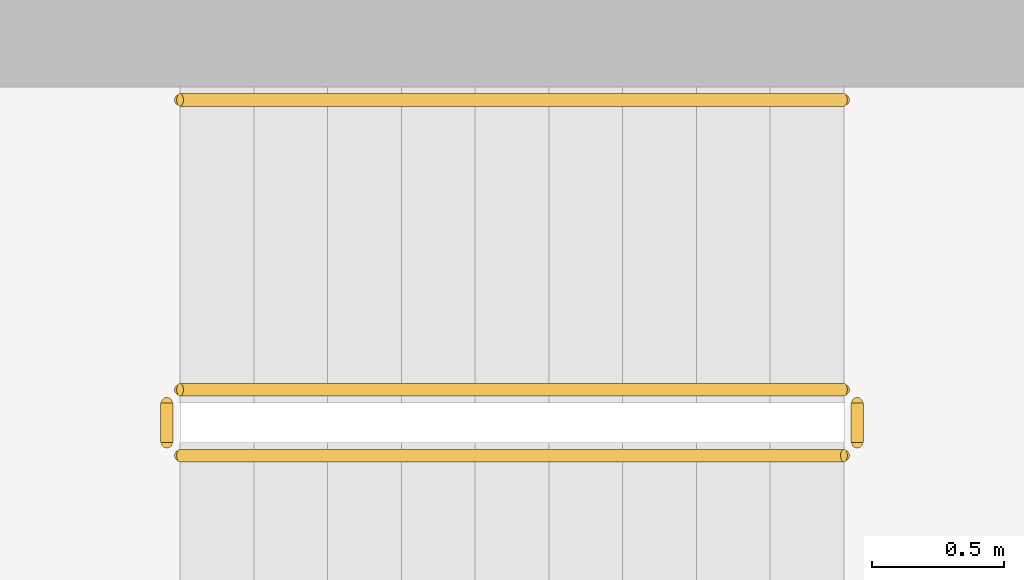
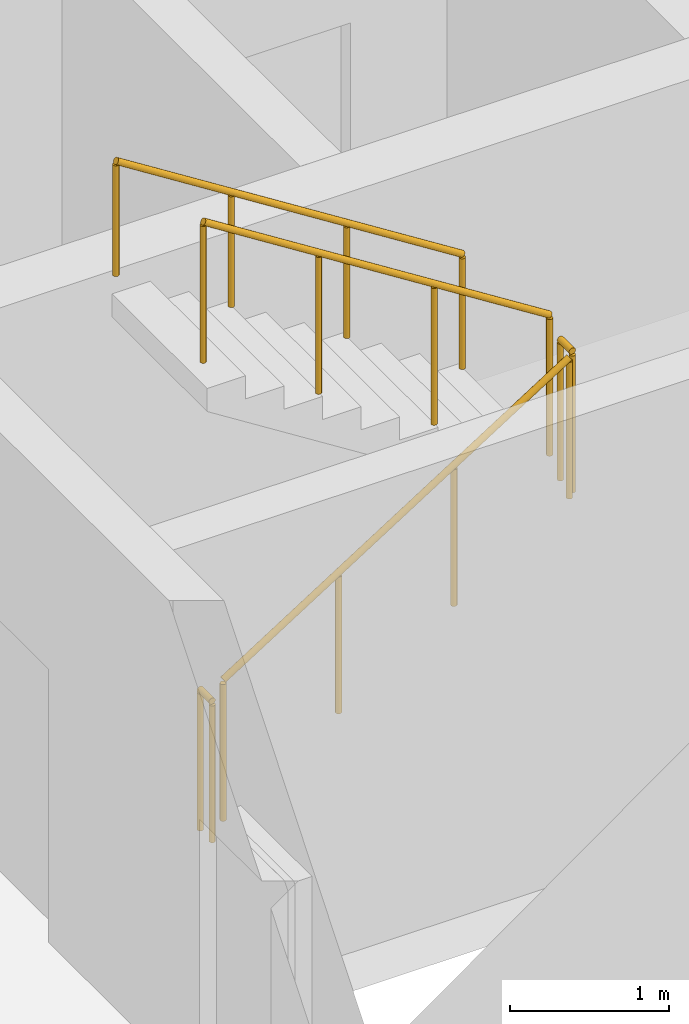
# One storey, part 15 of 17: 5 railings.
"""IFC4 building model written with IfcOpenShell, lengths in metres."""

from ifc_helpers import new_model, si_unit, direction, frame, origin, origin_2d, place, context, subcontext, project, spatial, circle, extrude, material, type_object, element, save


model = new_model("IFC4")

# Units and contexts
model_context = context("Model", 3, precision=1e-05, world=origin(), true_north=direction((0.0, 1.0)))
body_context = subcontext(model_context, "Body", "Model", "MODEL_VIEW")
ifc_project = project(units=[si_unit("LENGTHUNIT", "METRE"), si_unit("AREAUNIT", "SQUARE_METRE"), si_unit("VOLUMEUNIT", "CUBIC_METRE"), si_unit("PLANEANGLEUNIT", "RADIAN"), si_unit("MASSUNIT", "GRAM", prefix="KILO")], contexts=[model_context])

# Site, building, storey
site_placement = place(None, origin())
site = spatial("IfcSite", under=ifc_project, at=site_placement, CompositionType="ELEMENT")
building_placement = place(site_placement, origin())
building = spatial("IfcBuilding", under=site, at=building_placement, Name="Ostrand Prow Hotel Tower", CompositionType="ELEMENT")
storey_placement = place(building_placement, frame((0.0, 0.0, 200.35009765625)))
storey = spatial("IfcBuildingStorey", under=building, at=storey_placement, Name="L50", CompositionType="ELEMENT", Elevation=200.35009765625)

# Railings
ifc_material_1 = material(Name="Painted steel", Category="steel")
railing_type_1 = type_object("IfcRailingType", Name="Stair guard 1100", PredefinedType="GUARDRAIL", material=ifc_material_1)
railing_1_placement = place(storey_placement, frame((57.199951171875, -11.75, 0.177490234375)))
element("IfcRailing", 1, at=railing_1_placement, inside=storey, type_object=railing_type_1, Name="L50 ST2C stair guard 1", PredefinedType="GUARDRAIL", context=body_context, shape_type="SweptSolid", body=[
    extrude(circle(Radius=0.02392578125, at=origin_2d()), frame((0.0, 0.0, 1.076171875), z_axis=(0.84460694969, 0.0, 0.535386869969), x_axis=(0.0, 1.0, 0.0)), (0.0, 0.0, 1.0), 2.983642578125),
    extrude(circle(Radius=0.02099609375, at=origin_2d()), origin(), (0.0, 0.0, 1.0), 1.052001953125),
    extrude(circle(Radius=0.02099609375, at=origin_2d()), frame((0.840087890625, 0.0, 0.532470703125)), (0.0, 0.0, 1.0), 1.052001953125),
    extrude(circle(Radius=0.02099609375, at=origin_2d()), frame((1.679931640625, 0.0, 1.06494140625)), (0.0, 0.0, 1.0), 1.052001953125),
    extrude(circle(Radius=0.02099609375, at=origin_2d()), frame((2.52001953125, 0.0, 1.597412109375)), (0.0, 0.0, 1.0), 1.052001953125),
])
railing_2_placement = place(storey_placement, frame((59.77001953125, -11.699951171875, 1.77490234375)))
element("IfcRailing", 2, at=railing_2_placement, inside=storey, type_object=railing_type_1, Name="L50 ST2C stair guard 2", PredefinedType="GUARDRAIL", context=body_context, shape_type="SweptSolid", body=[
    extrude(circle(Radius=0.02392578125, at=origin_2d()), frame((0.0, 0.0, 1.076171875), z_axis=(0.0, 1.0, 0.0), x_axis=(-1.0, 0.0, 0.0)), (0.0, 0.0, 1.0), 0.14990234375),
    extrude(circle(Radius=0.02099609375, at=origin_2d()), origin(), (0.0, 0.0, 1.0), 1.052001953125),
    extrude(circle(Radius=0.02099609375, at=origin_2d()), frame((0.0, 0.14990234375, 0.0)), (0.0, 0.0, 1.0), 1.052001953125),
])
railing_3_placement = place(storey_placement, frame((59.719970703125, -11.5, 1.952392578125)))
element("IfcRailing", 3, at=railing_3_placement, inside=storey, type_object=railing_type_1, Name="L50 ST2C stair guard 3", PredefinedType="GUARDRAIL", context=body_context, shape_type="SweptSolid", body=[
    extrude(circle(Radius=0.02392578125, at=origin_2d()), frame((0.0, 0.0, 1.076171875), z_axis=(-0.84460694969, 0.0, 0.535386869969), x_axis=(0.0, -1.0, 0.0)), (0.0, 0.0, 1.0), 2.983642578125),
    extrude(circle(Radius=0.02099609375, at=origin_2d()), origin(), (0.0, 0.0, 1.0), 1.052001953125),
    extrude(circle(Radius=0.02099609375, at=origin_2d()), frame((-0.840087890625, 0.0, 0.532470703125)), (0.0, 0.0, 1.0), 1.052001953125),
    extrude(circle(Radius=0.02099609375, at=origin_2d()), frame((-1.679931640625, 0.0, 1.06494140625)), (0.0, 0.0, 1.0), 1.052001953125),
    extrude(circle(Radius=0.02099609375, at=origin_2d()), frame((-2.52001953125, 0.0, 1.597412109375)), (0.0, 0.0, 1.0), 1.052001953125),
])
railing_4_placement = place(storey_placement, frame((57.14990234375, -11.699951171875, 0.0)))
element("IfcRailing", 4, at=railing_4_placement, inside=storey, type_object=railing_type_1, Name="L50 ST2C stair guard 4", PredefinedType="GUARDRAIL", context=body_context, shape_type="SweptSolid", body=[
    extrude(circle(Radius=0.02392578125, at=origin_2d()), frame((0.0, 0.0, 1.076171875), z_axis=(0.0, 1.0, 0.0), x_axis=(-1.0, 0.0, 0.0)), (0.0, 0.0, 1.0), 0.14990234375),
    extrude(circle(Radius=0.02099609375, at=origin_2d()), origin(), (0.0, 0.0, 1.0), 1.052001953125),
    extrude(circle(Radius=0.02099609375, at=origin_2d()), frame((0.0, 0.14990234375, 0.0)), (0.0, 0.0, 1.0), 1.052001953125),
])
ifc_material_2 = material(Name="Stainless steel", Category="steel")
railing_type_2 = type_object("IfcRailingType", Name="Stair handrail 900", PredefinedType="HANDRAIL", material=ifc_material_2)
railing_5_placement = place(storey_placement, frame((59.719970703125, -10.39990234375, 1.952392578125)))
element("IfcRailing", 5, at=railing_5_placement, inside=storey, type_object=railing_type_2, Name="L50 ST2C stair handrail 2", PredefinedType="HANDRAIL", context=body_context, shape_type="SweptSolid", body=[
    extrude(circle(Radius=0.02392578125, at=origin_2d()), frame((0.0, 0.0, 0.8759765625), z_axis=(-0.84460694969, 0.0, 0.535386869969), x_axis=(0.0, -1.0, 0.0)), (0.0, 0.0, 1.0), 2.983642578125),
    extrude(circle(Radius=0.02099609375, at=origin_2d()), origin(), (0.0, 0.0, 1.0), 0.851806640625),
    extrude(circle(Radius=0.02099609375, at=origin_2d()), frame((-0.840087890625, 0.0, 0.532470703125)), (0.0, 0.0, 1.0), 0.851806640625),
    extrude(circle(Radius=0.02099609375, at=origin_2d()), frame((-1.679931640625, 0.0, 1.06494140625)), (0.0, 0.0, 1.0), 0.851806640625),
    extrude(circle(Radius=0.02099609375, at=origin_2d()), frame((-2.52001953125, 0.0, 1.597412109375)), (0.0, 0.0, 1.0), 0.851806640625),
])

save(model, "model.ifc")
